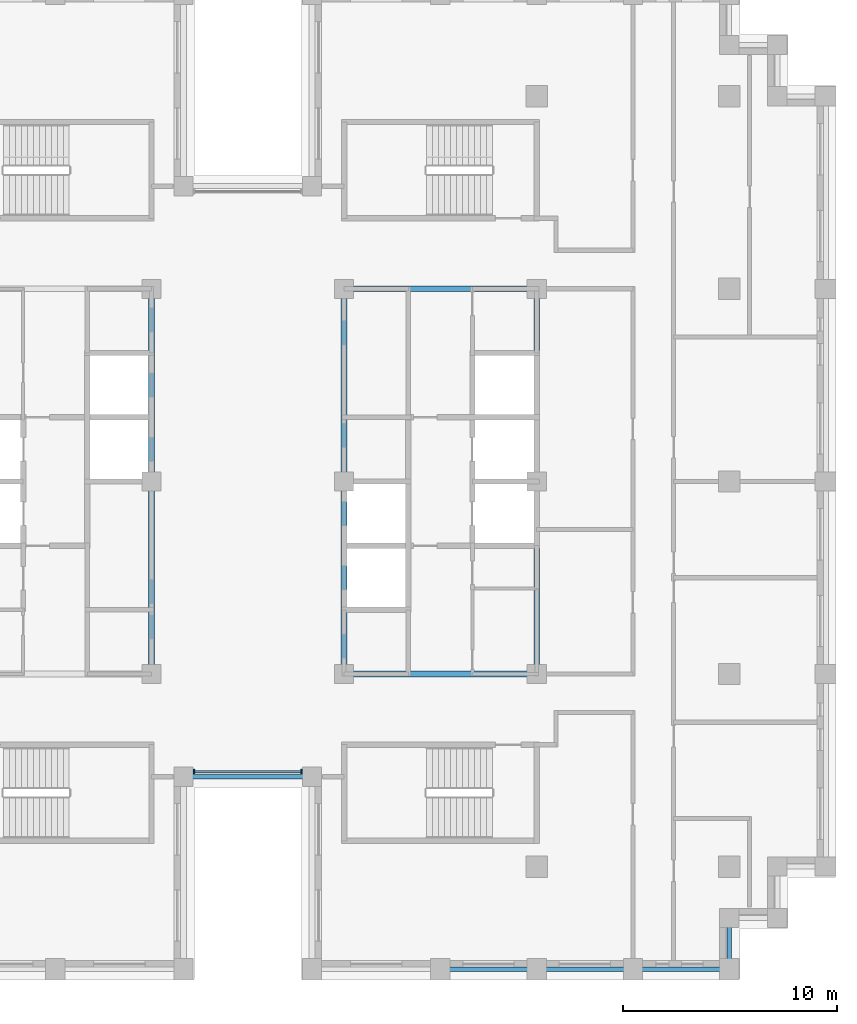
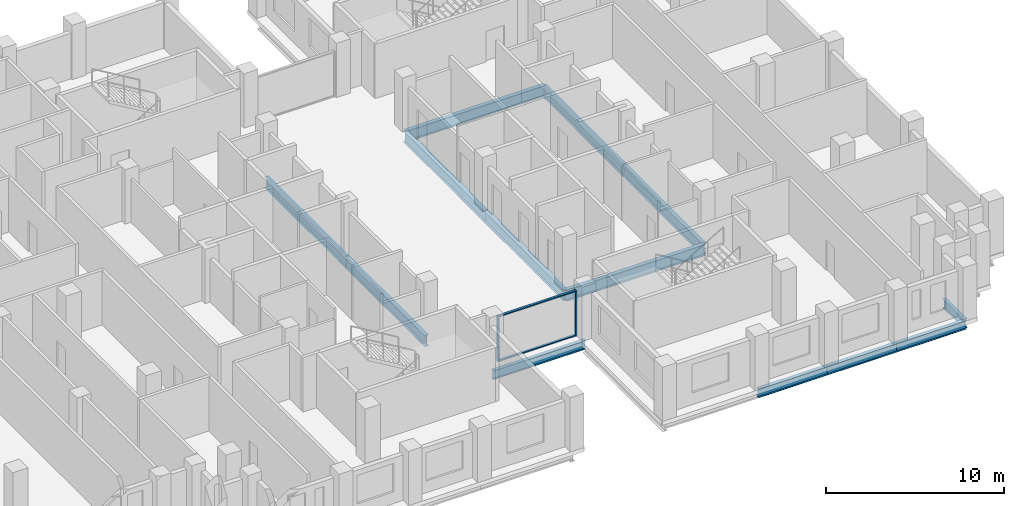
# One storey, part 2 of 15: 13 beams, 4 members, 1 element without a shape of its own.
"""IFC4 building model written with IfcOpenShell, lengths in metres."""

import ifcopenshell
import ifcopenshell.guid

model = None  # the IFC model being written
_history = None  # IfcOwnerHistory: only IFC2X3 demands one
_inside = {}  # id of a spatial element -> (the spatial element, [elements in it])
_under = {}  # id of a project, library or spatial element -> (it, [spatial elements below it])
_declared = {}  # id of a project -> (the project, [libraries it declares])
_typed = {}  # id of a type object -> (the type object, [elements of that type])
_made_of = {}  # id of a material, layer set ... -> (it, [elements and type objects made of it])


def new_model(schema):
    """Start an empty IFC model of exactly this schema.

    Asked for "IFC4X3", IfcOpenShell would pick the latest addendum, in which some entities
    have other attributes; the version numbers below select the first issue.
    IFC2X3 requires an IfcOwnerHistory on every rooted entity: one is made here for all.
    """
    global model, _history
    if schema == "IFC4X3":
        model = ifcopenshell.file(schema_version=(4, 3, 0, 0))
    else:
        model = ifcopenshell.file(schema=schema)
    _inside.clear()
    _under.clear()
    _declared.clear()
    _typed.clear()
    _made_of.clear()
    _history = None
    if model.schema == "IFC2X3":
        org = make("IfcOrganization", Name="unknown")
        user = make(
            "IfcPersonAndOrganization",
            ThePerson=make("IfcPerson", FamilyName="unknown"),
            TheOrganization=org,
        )
        app = make(
            "IfcApplication",
            ApplicationDeveloper=org,
            Version="unknown",
            ApplicationFullName="unknown",
            ApplicationIdentifier="unknown",
        )
        _history = make(
            "IfcOwnerHistory",
            OwningUser=user,
            OwningApplication=app,
            ChangeAction="ADDED",
            CreationDate=0,
        )
    return model


def make(cls, **values):
    """One entity of the class cls with the attributes given. An attribute that is None is left unset."""
    return model.create_entity(
        cls, **{name: value for name, value in values.items() if value is not None}
    )


def rooted(cls, **values):
    """An entity with a GlobalId (a new one), such as an element, a storey or a relation."""
    return make(cls, GlobalId=ifcopenshell.guid.new(), OwnerHistory=_history, **values)


def si_unit(unit_type, name, prefix=None):
    """IfcSIUnit, for example si_unit("LENGTHUNIT", "METRE", prefix="MILLI")."""
    return make("IfcSIUnit", UnitType=unit_type, Prefix=prefix, Name=name)


def assignment(units):
    """IfcUnitAssignment: the units of a project."""
    return None if units is None else make("IfcUnitAssignment", Units=units)


def point(xyz):
    """IfcCartesianPoint."""
    return None if xyz is None else make("IfcCartesianPoint", Coordinates=xyz)


def direction(xyz):
    """IfcDirection."""
    return None if xyz is None else make("IfcDirection", DirectionRatios=xyz)


def frame(location, z_axis=None, x_axis=None):
    """IfcAxis2Placement3D, a coordinate frame: its origin and axes. An axis left out is left unset."""
    return make(
        "IfcAxis2Placement3D",
        Location=point(location),
        Axis=direction(z_axis),
        RefDirection=direction(x_axis),
    )


def frame_2d(location, x_axis=None):
    """IfcAxis2Placement2D, a coordinate frame in the plane: its origin and x axis."""
    return make(
        "IfcAxis2Placement2D", Location=point(location), RefDirection=direction(x_axis)
    )


def origin():
    """The frame at (0, 0, 0) with its axes left unset."""
    return frame((0.0, 0.0, 0.0))


def origin_2d():
    """The frame at (0, 0) in the plane with its x axis left unset."""
    return frame_2d((0.0, 0.0))


def place(relative_to, where):
    """IfcLocalPlacement: puts the frame where relative to a parent placement (None: the world)."""
    return make(
        "IfcLocalPlacement", PlacementRelTo=relative_to, RelativePlacement=where
    )


def context(
    kind, dimensions, precision=None, world=None, true_north=None, identifier=None
):
    """IfcGeometricRepresentationContext, for example the 3D "Model" context."""
    return make(
        "IfcGeometricRepresentationContext",
        ContextIdentifier=identifier,
        ContextType=kind,
        CoordinateSpaceDimension=dimensions,
        Precision=precision,
        WorldCoordinateSystem=world,
        TrueNorth=true_north,
    )


def subcontext(parent, identifier, kind, view, scale=None):
    """IfcGeometricRepresentationSubContext, for example "Body" below "Model"."""
    return make(
        "IfcGeometricRepresentationSubContext",
        ContextIdentifier=identifier,
        ContextType=kind,
        ParentContext=parent,
        TargetScale=scale,
        TargetView=view,
    )


def project(units=None, contexts=None):
    """IfcProject with its units and contexts."""
    return rooted(
        "IfcProject",
        Name="project",
        RepresentationContexts=contexts,
        UnitsInContext=assignment(units),
    )


def spatial(cls, under=None, at=None, **own):
    """A site, building, storey or space (cls), placed at a placement, below another one or the project."""
    s = rooted(cls, ObjectPlacement=at, **own)
    if under is not None:
        _under.setdefault(under.id(), (under, []))[1].append(s)
    return s


def profile(cls, at=None, kind="AREA", **sizes):
    """A parametric profile (cls). Its sizes go by their IFC names, for example OverallWidth=200.0."""
    return make(cls, ProfileType=kind, Position=at, **sizes)


def rectangle(**sizes):
    """IfcRectangleProfileDef."""
    return profile("IfcRectangleProfileDef", **sizes)


def i_section(**sizes):
    """IfcIShapeProfileDef."""
    return profile("IfcIShapeProfileDef", **sizes)


def extrude(swept, where, along, depth):
    """IfcExtrudedAreaSolid: the profile swept, set in the frame where, extruded along a direction by depth."""
    return make(
        "IfcExtrudedAreaSolid",
        SweptArea=swept,
        Position=where,
        ExtrudedDirection=direction(along),
        Depth=depth,
    )


def shape(context_of_items, identifier, shape_type, items):
    """IfcShapeRepresentation: the items that make up one representation, for example the "Body"."""
    return make(
        "IfcShapeRepresentation",
        ContextOfItems=context_of_items,
        RepresentationIdentifier=identifier,
        RepresentationType=shape_type,
        Items=items,
    )


def material(Name=None, Category=None):
    """IfcMaterial."""
    return make("IfcMaterial", Name=Name, Category=Category)


def layer(
    of_material, thickness, ventilated=None, Name=None, Category=None, Priority=None
):
    """IfcMaterialLayer: one layer of a wall or slab, of a material (None: an air gap)."""
    return make(
        "IfcMaterialLayer",
        Material=of_material,
        LayerThickness=thickness,
        IsVentilated=ventilated,
        Name=Name,
        Category=Category,
        Priority=Priority,
    )


def layer_set(layers, Name=None):
    """IfcMaterialLayerSet."""
    return make("IfcMaterialLayerSet", MaterialLayers=layers, LayerSetName=Name)


def material_profile(
    of_material, cross_section, Name=None, Category=None, Priority=None
):
    """IfcMaterialProfile: a cross section and its material."""
    return make(
        "IfcMaterialProfile",
        Name=Name,
        Material=of_material,
        Profile=cross_section,
        Priority=Priority,
        Category=Category,
    )


def profile_set(profiles, Name=None, composite=None):
    """IfcMaterialProfileSet."""
    return make(
        "IfcMaterialProfileSet",
        Name=Name,
        MaterialProfiles=profiles,
        CompositeProfile=composite,
    )


def made_of(thing, what):
    """Note that an element or type object is made of a material, layer set ...; save() writes the relation."""
    if what is not None:
        _made_of.setdefault(what.id(), (what, []))[1].append(thing)
    return thing


def type_object(cls, material=None, **own):
    """A type object (cls), such as IfcWallType, which elements share."""
    return made_of(rooted(cls, **own), material)


def element(
    cls,
    number,
    at=None,
    inside=None,
    cuts=None,
    type_object=None,
    material=None,
    context=None,
    identifier="Body",
    shape_type=None,
    held_by="IfcProductDefinitionShape",
    body=None,
    shapes=None,
    **own,
):
    """One element of the class cls, such as IfcWall. Its Tag is "e" and its number.

    at: its placement. inside: the storey or other place that contains it. cuts: it is an
    opening in that element (IfcRelVoidsElement). A single representation is given by context,
    identifier, shape_type and body (its items); several are given by shapes. held_by: the class
    of the entity that holds the representations. save() writes the other relations.
    """
    e = rooted(cls, Tag="e%d" % number, ObjectPlacement=at, **own)
    if body is not None:
        shapes = [shape(context, identifier, shape_type, body)]
    if shapes is not None:
        e.Representation = make(held_by, Representations=shapes)
    if inside is not None:
        _inside.setdefault(inside.id(), (inside, []))[1].append(e)
    if cuts is not None:
        rooted(
            "IfcRelVoidsElement", RelatingBuildingElement=cuts, RelatedOpeningElement=e
        )
    if type_object is not None:
        _typed.setdefault(type_object.id(), (type_object, []))[1].append(e)
    return made_of(e, material)


def aggregate(whole, parts):
    """IfcRelAggregates: a whole, such as a stair, and the parts it consists of."""
    return rooted("IfcRelAggregates", RelatingObject=whole, RelatedObjects=parts)


def save(model, path):
    """Write the relations noted so far, then the file.

    IfcRelAggregates (storeys below a building ...), IfcRelContainedInSpatialStructure (elements
    in a storey), IfcRelDefinesByType, IfcRelAssociatesMaterial and IfcRelDeclares: one each for
    every whole, place, type object, material and project.
    """
    for whole, parts in _under.values():
        aggregate(whole, parts)
    for where, things in _inside.values():
        rooted(
            "IfcRelContainedInSpatialStructure",
            RelatedElements=things,
            RelatingStructure=where,
        )
    for kind, things in _typed.values():
        rooted("IfcRelDefinesByType", RelatedObjects=things, RelatingType=kind)
    for what, things in _made_of.values():
        rooted("IfcRelAssociatesMaterial", RelatedObjects=things, RelatingMaterial=what)
    for by, libraries in _declared.values():
        rooted("IfcRelDeclares", RelatingContext=by, RelatedDefinitions=libraries)
    model.write(path)


model = new_model("IFC4")

# Units and contexts
model_context = context("Model", 3, precision=1e-05, world=origin(), true_north=direction((0.0, 1.0)))
body_context = subcontext(model_context, "Body", "Model", "MODEL_VIEW")
ifc_project = project(units=[si_unit("LENGTHUNIT", "METRE"), si_unit("AREAUNIT", "SQUARE_METRE"), si_unit("VOLUMEUNIT", "CUBIC_METRE"), si_unit("PLANEANGLEUNIT", "RADIAN"), si_unit("MASSUNIT", "GRAM", prefix="KILO")], contexts=[model_context])

# Site, building, storey
site_placement = place(None, origin())
site = spatial("IfcSite", under=ifc_project, at=site_placement, CompositionType="ELEMENT")
building_placement = place(site_placement, origin())
building = spatial("IfcBuilding", under=site, at=building_placement, Name="Corbelhall Arena Tower", CompositionType="ELEMENT")
storey_placement = place(building_placement, frame((0.0, 0.0, 204.0)))
storey = spatial("IfcBuildingStorey", under=building, at=storey_placement, Name="L42", CompositionType="ELEMENT", Elevation=204.0)

# Curtain wall, members
ifc_material_1 = material(Name="Aluminium black anodised", Category="aluminium")
ifc_layer = layer(ifc_material_1, 0.199951171875)
ifc_layer_set = layer_set([ifc_layer], Name="EV-CW1 Slot back wall")
curtain_wall_type = type_object("IfcCurtainWallType", Name="EV-CW1 Slot back wall", PredefinedType="NOTDEFINED", material=ifc_layer_set)
curtain_wall_placement = place(storey_placement, origin())
curtain_wall = element("IfcCurtainWall", 1, at=curtain_wall_placement, inside=storey, type_object=curtain_wall_type, Name="Curtain wall CW1", PredefinedType="NOTDEFINED")
ifc_material_profile_1 = material_profile(ifc_material_1, rectangle(XDim=0.199951171875, YDim=0.074951171875, at=origin_2d()))
ifc_profile_set_1 = profile_set([ifc_material_profile_1], Name="Aluminium black anodised")
member_type_1 = type_object("IfcMemberType", Name="EV-CW1-MULLION", PredefinedType="MULLION", material=ifc_profile_set_1)
member_1_placement = place(storey_placement, frame((-2.512451171875, -13.550048828125, 0.0), z_axis=(0.0, 0.0, 1.0), x_axis=(0.0, 1.0, 0.0)))
member_1 = element("IfcMember", 2, at=member_1_placement, type_object=member_type_1, Name="CW1 mullion 1", PredefinedType="MULLION", context=body_context, shape_type="SweptSolid", body=[
    extrude(rectangle(XDim=0.199951171875, YDim=0.074951171875, at=origin_2d()), origin(), (0.0, 0.0, 1.0), 3.1201171875),
])
member_2_placement = place(storey_placement, frame((2.512451171875, -13.550048828125, 0.0), z_axis=(0.0, 0.0, 1.0), x_axis=(0.0, 1.0, 0.0)))
member_2 = element("IfcMember", 3, at=member_2_placement, type_object=member_type_1, Name="CW1 mullion 2", PredefinedType="MULLION", context=body_context, shape_type="SweptSolid", body=[
    extrude(rectangle(XDim=0.199951171875, YDim=0.074951171875, at=origin_2d()), origin(), (0.0, 0.0, 1.0), 3.1201171875),
])
ifc_material_profile_2 = material_profile(ifc_material_1, rectangle(XDim=0.14990234375, YDim=0.074951171875, at=origin_2d()))
ifc_profile_set_2 = profile_set([ifc_material_profile_2], Name="Aluminium black anodised")
member_type_2 = type_object("IfcMemberType", Name="EV-CW1-TRANSOM", PredefinedType="USERDEFINED", material=ifc_profile_set_2)
member_3_placement = place(storey_placement, frame((-2.47509765625, -13.550048828125, 0.03759765625), z_axis=(1.0, 0.0, 0.0), x_axis=(0.0, 1.0, 0.0)))
member_3 = element("IfcMember", 4, at=member_3_placement, type_object=member_type_2, Name="CW1 transom 1.1", ObjectType="transom", PredefinedType="USERDEFINED", context=body_context, shape_type="SweptSolid", body=[
    extrude(rectangle(XDim=0.14990234375, YDim=0.074951171875, at=origin_2d()), origin(), (0.0, 0.0, 1.0), 4.9501953125),
])
member_4_placement = place(storey_placement, frame((-2.47509765625, -13.550048828125, 3.08251953125), z_axis=(1.0, 0.0, 0.0), x_axis=(0.0, 1.0, 0.0)))
member_4 = element("IfcMember", 5, at=member_4_placement, type_object=member_type_2, Name="CW1 transom 1.2", ObjectType="transom", PredefinedType="USERDEFINED", context=body_context, shape_type="SweptSolid", body=[
    extrude(rectangle(XDim=0.14990234375, YDim=0.074951171875, at=origin_2d()), origin(), (0.0, 0.0, 1.0), 4.9501953125),
])
aggregate(curtain_wall, [member_1, member_2, member_3, member_4])

# Beams
ifc_material_2 = material(Name="Steel ASTM A992 Gr50", Category="steel")
ifc_material_profile_3 = material_profile(ifc_material_2, i_section(OverallWidth=0.2666015625, OverallDepth=0.761962890625, WebThickness=0.014404296875, FlangeThickness=0.021484375, at=origin_2d()))
ifc_profile_set_3 = profile_set([ifc_material_profile_3], Name="Steel ASTM A992 Gr50")
beam_type_1 = type_object("IfcBeamType", Name="ST-BEAM-W30x116", PredefinedType="BEAM", material=ifc_profile_set_3)
for number, where, z_axis, x_axis, name in (
    (6, (-4.5, -9.0, -0.660888671875), (0.0, 1.0, 0.0), (-1.0, 0.0, 0.0), "Beam CEW 3"),
    (7, (-4.5, 0.0, -0.660888671875), (0.0, 1.0, 0.0), (-1.0, 0.0, 0.0), "Beam CEW 4"),
    (8, (4.5, -9.0, -0.660888671875), (0.0, 1.0, 0.0), (-1.0, 0.0, 0.0), "Beam CEE 7"),
    (9, (4.5, 0.0, -0.660888671875), (0.0, 1.0, 0.0), (-1.0, 0.0, 0.0), "Beam CEE 8"),
    (10, (13.5, -9.0, -0.660888671875), (0.0, 1.0, 0.0), (-1.0, 0.0, 0.0), "Beam CEE 9"),
    (11, (13.5, 0.0, -0.660888671875), (0.0, 1.0, 0.0), (-1.0, 0.0, 0.0), "Beam CEE 10"),
    (12, (4.5, -9.0, -0.660888671875), (1.0, 0.0, 0.0), (0.0, 1.0, 0.0), "Beam CEE 11"),
    (13, (4.5, 9.0, -0.660888671875), (1.0, 0.0, 0.0), (0.0, 1.0, 0.0), "Beam CEE 12"),
):
    element("IfcBeam", number, at=place(storey_placement, frame(where, z_axis=z_axis, x_axis=x_axis)), inside=storey, type_object=beam_type_1, Name=name, PredefinedType="BEAM", context=body_context, shape_type="SweptSolid", body=[
        extrude(i_section(OverallWidth=0.2666015625, OverallDepth=0.761962890625, WebThickness=0.014404296875, FlangeThickness=0.021484375, at=origin_2d()), origin(), (0.0, 0.0, 1.0), 9.0),
    ])
ifc_material_profile_4 = material_profile(ifc_material_2, i_section(OverallWidth=0.228271484375, OverallDepth=0.607177734375, WebThickness=0.01123046875, FlangeThickness=0.017333984375, at=origin_2d()))
ifc_profile_set_4 = profile_set([ifc_material_profile_4], Name="Steel ASTM A992 Gr50")
beam_type_2 = type_object("IfcBeamType", Name="ST-SPANDREL-W24x76", PredefinedType="SPANDREL", material=ifc_profile_set_4)
for number, where, z_axis, x_axis, name in (
    (14, (13.5, -22.800048828125, -0.58349609375), (-1.0, 0.0, 0.0), (0.0, -1.0, 0.0), "Beam SP 25"),
    (15, (18.0, -22.800048828125, -0.58349609375), (-1.0, 0.0, 0.0), (0.0, -1.0, 0.0), "Beam SP 26"),
    (16, (22.5, -22.800048828125, -0.58349609375), (-1.0, 0.0, 0.0), (0.0, -1.0, 0.0), "Beam SP 27"),
):
    element("IfcBeam", number, at=place(storey_placement, frame(where, z_axis=z_axis, x_axis=x_axis)), inside=storey, type_object=beam_type_2, Name=name, PredefinedType="SPANDREL", context=body_context, shape_type="SweptSolid", body=[
        extrude(i_section(OverallWidth=0.228271484375, OverallDepth=0.607177734375, WebThickness=0.01123046875, FlangeThickness=0.017333984375, at=origin_2d()), origin(), (0.0, 0.0, 1.0), 4.5),
    ])
beam_1_placement = place(storey_placement, frame((3.0, -13.800048828125, -0.58349609375), z_axis=(-1.0, 0.0, 0.0), x_axis=(0.0, -1.0, 0.0)))
element("IfcBeam", 17, at=beam_1_placement, inside=storey, type_object=beam_type_2, Name="Beam SP 37", PredefinedType="SPANDREL", context=body_context, shape_type="SweptSolid", body=[
    extrude(i_section(OverallWidth=0.228271484375, OverallDepth=0.607177734375, WebThickness=0.01123046875, FlangeThickness=0.017333984375, at=origin_2d()), origin(), (0.0, 0.0, 1.0), 6.0),
])
beam_2_placement = place(storey_placement, frame((22.5, -20.39990234375, -0.58349609375), z_axis=(0.0, -1.0, 0.0), x_axis=(1.0, 0.0, 0.0)))
element("IfcBeam", 18, at=beam_2_placement, inside=storey, type_object=beam_type_2, Name="Beam SP 45", PredefinedType="SPANDREL", context=body_context, shape_type="SweptSolid", body=[
    extrude(i_section(OverallWidth=0.228271484375, OverallDepth=0.607177734375, WebThickness=0.01123046875, FlangeThickness=0.017333984375, at=origin_2d()), origin(), (0.0, 0.0, 1.0), 2.400146484375),
])

save(model, "model.ifc")
